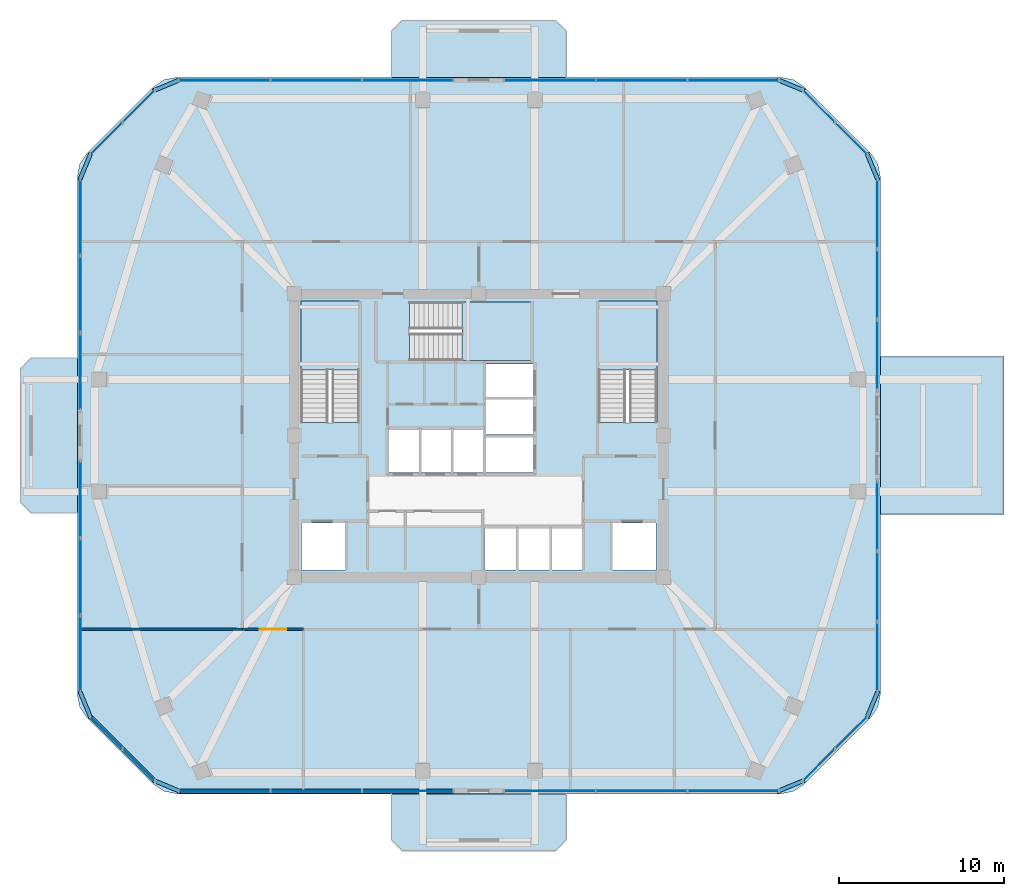
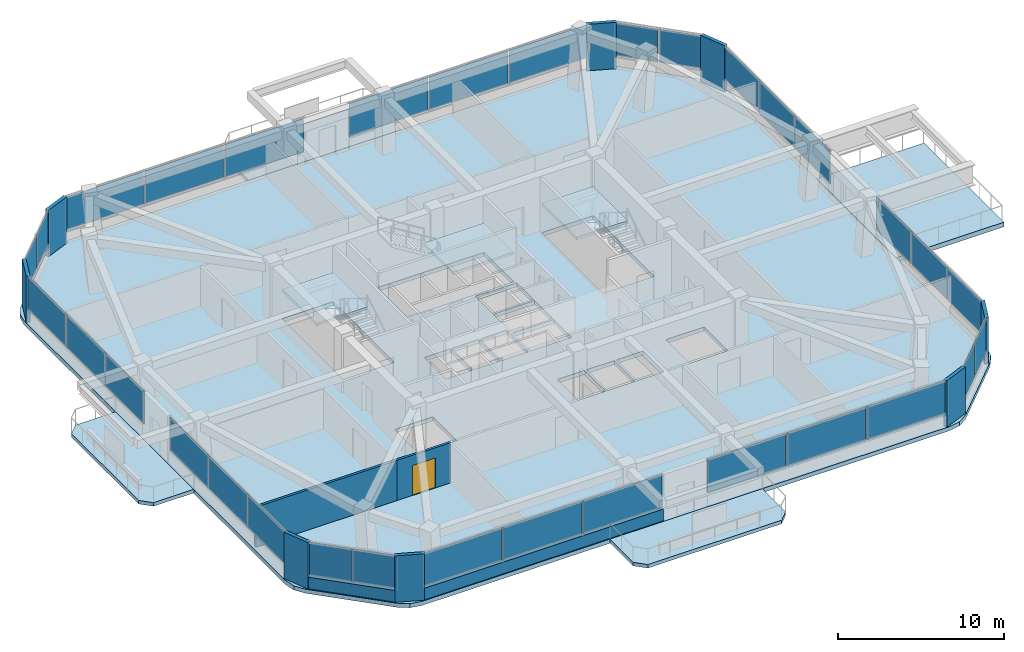
# One storey, part 6 of 13: 40 plates, 8 slabs, 4 walls, 1 door, 1 opening, 15 elements without a shape of their own.
"""IFC4 building model written with IfcOpenShell, lengths in metres."""

from ifc_helpers import new_model, si_unit, derived_unit, direction, frame, frame_2d, origin, origin_2d, place, context, subcontext, project, spatial, polyline, rectangle, outline, extrude, material, layer, layer_set, type_object, element, fill, aggregate, save


model = new_model("IFC4")

# Units and contexts
model_context = context("Model", 3, precision=1e-05, world=origin(), true_north=direction((0.0, 1.0)))
body_context = subcontext(model_context, "Body", "Model", "MODEL_VIEW")
ifc_project = project(units=[si_unit("LENGTHUNIT", "METRE"), si_unit("AREAUNIT", "SQUARE_METRE"), si_unit("VOLUMEUNIT", "CUBIC_METRE"), si_unit("PLANEANGLEUNIT", "RADIAN"), si_unit("MASSUNIT", "GRAM", prefix="KILO"), derived_unit("THERMALTRANSMITTANCEUNIT", [(si_unit("POWERUNIT", "WATT"), 1), (si_unit("LENGTHUNIT", "METRE"), -2), (si_unit("THERMODYNAMICTEMPERATUREUNIT", "KELVIN"), -1)])], contexts=[model_context])

# Site, building, storey
site_placement = place(None, origin())
site = spatial("IfcSite", under=ifc_project, at=site_placement, CompositionType="ELEMENT")
building_placement = place(site_placement, origin())
building = spatial("IfcBuilding", under=site, at=building_placement, Name="Koralith Skygarden Medical Center", CompositionType="ELEMENT")
storey_placement = place(building_placement, frame((0.0, 0.0, 188.4599609375)))
storey = spatial("IfcBuildingStorey", under=building, at=storey_placement, Name="L48", CompositionType="ELEMENT", Elevation=188.4599609375)

# Curtain wall, plates
ifc_material_1 = material(Name="Clear Laminated Glass", Category="glass")
curtain_wall_type = type_object("IfcCurtainWallType", Name="CW-7 Sky-Garden & Pool Conservatory Wall", PredefinedType="NOTDEFINED", material=ifc_material_1)
curtain_wall_1_placement = place(storey_placement, origin())
curtain_wall_1 = element("IfcCurtainWall", 1, at=curtain_wall_1_placement, inside=storey, type_object=curtain_wall_type, Name="Curtain Wall CW-L48-S-L", PredefinedType="NOTDEFINED")
ifc_layer_1 = layer(ifc_material_1, 0.0419921875)
ifc_layer_set_1 = layer_set([ifc_layer_1], Name="Clear Laminated Glass")
plate_type_1 = type_object("IfcPlateType", Name="CW-7 Hurricane Laminated IGU Panel 42", PredefinedType="CURTAIN_PANEL", material=ifc_layer_set_1)
plate_1_placement = place(storey_placement, frame((21.572998046875, 4.344970703125, 0.920166015625), z_axis=(0.0, 0.0, 1.0), x_axis=(1.0, 0.0, 0.0)))
plate_1 = element("IfcPlate", 2, at=plate_1_placement, type_object=plate_type_1, Name="CW-L48-S-L Glazed Panel 1", PredefinedType="CURTAIN_PANEL", context=body_context, shape_type="SweptSolid", body=[
    extrude(rectangle(XDim=5.465087890625, YDim=0.0419921875, at=origin_2d()), origin(), (0.0, 0.0, 1.0), 2.419921875),
])
plate_2_placement = place(storey_placement, frame((27.1279296875, 4.344970703125, 0.920166015625), z_axis=(0.0, 0.0, 1.0), x_axis=(1.0, 0.0, 0.0)))
plate_2 = element("IfcPlate", 3, at=plate_2_placement, type_object=plate_type_1, Name="CW-L48-S-L Glazed Panel 2", PredefinedType="CURTAIN_PANEL", context=body_context, shape_type="SweptSolid", body=[
    extrude(rectangle(XDim=5.465087890625, YDim=0.0419921875, at=origin_2d()), origin(), (0.0, 0.0, 1.0), 2.419921875),
])
plate_3_placement = place(storey_placement, frame((32.68310546875, 4.344970703125, 0.920166015625), z_axis=(0.0, 0.0, 1.0), x_axis=(1.0, 0.0, 0.0)))
plate_3 = element("IfcPlate", 4, at=plate_3_placement, type_object=plate_type_1, Name="CW-L48-S-L Glazed Panel 3", PredefinedType="CURTAIN_PANEL", context=body_context, shape_type="SweptSolid", body=[
    extrude(rectangle(XDim=5.465087890625, YDim=0.0419921875, at=origin_2d()), origin(), (0.0, 0.0, 1.0), 2.419921875),
])
aggregate(curtain_wall_1, [plate_1, plate_2, plate_3])

curtain_wall_2_placement = place(storey_placement, origin())
curtain_wall_2 = element("IfcCurtainWall", 5, at=curtain_wall_2_placement, inside=storey, type_object=curtain_wall_type, Name="Curtain Wall CW-L48-S-R", PredefinedType="NOTDEFINED")
plate_4_placement = place(storey_placement, frame((41.31689453125, 4.344970703125, 0.920166015625), z_axis=(0.0, 0.0, 1.0), x_axis=(1.0, 0.0, 0.0)))
plate_4 = element("IfcPlate", 6, at=plate_4_placement, type_object=plate_type_1, Name="CW-L48-S-R Glazed Panel 1", PredefinedType="CURTAIN_PANEL", context=body_context, shape_type="SweptSolid", body=[
    extrude(rectangle(XDim=5.465087890625, YDim=0.0419921875, at=origin_2d()), origin(), (0.0, 0.0, 1.0), 2.419921875),
])
plate_5_placement = place(storey_placement, frame((46.873046875, 4.344970703125, 0.920166015625), z_axis=(0.0, 0.0, 1.0), x_axis=(1.0, 0.0, 0.0)))
plate_5 = element("IfcPlate", 7, at=plate_5_placement, type_object=plate_type_1, Name="CW-L48-S-R Glazed Panel 2", PredefinedType="CURTAIN_PANEL", context=body_context, shape_type="SweptSolid", body=[
    extrude(rectangle(XDim=5.465087890625, YDim=0.0419921875, at=origin_2d()), origin(), (0.0, 0.0, 1.0), 2.419921875),
])
plate_6_placement = place(storey_placement, frame((52.427001953125, 4.344970703125, 0.920166015625), z_axis=(0.0, 0.0, 1.0), x_axis=(1.0, 0.0, 0.0)))
plate_6 = element("IfcPlate", 8, at=plate_6_placement, type_object=plate_type_1, Name="CW-L48-S-R Glazed Panel 3", PredefinedType="CURTAIN_PANEL", context=body_context, shape_type="SweptSolid", body=[
    extrude(rectangle(XDim=5.465087890625, YDim=0.0419921875, at=origin_2d()), origin(), (0.0, 0.0, 1.0), 2.419921875),
])
aggregate(curtain_wall_2, [plate_4, plate_5, plate_6])

curtain_wall_3_placement = place(storey_placement, origin())
curtain_wall_3 = element("IfcCurtainWall", 9, at=curtain_wall_3_placement, inside=storey, type_object=curtain_wall_type, Name="Curtain Wall CW-L48-SE", PredefinedType="NOTDEFINED")
plate_7_placement = place(storey_placement, frame((57.636962890625, 5.927001953125, 0.920166015625), z_axis=(0.0, 0.0, 1.0), x_axis=(0.707106781187, 0.707106781187, 0.0)))
plate_7 = element("IfcPlate", 10, at=plate_7_placement, type_object=plate_type_1, Name="CW-L48-SE Glazed Panel 1", PredefinedType="CURTAIN_PANEL", context=body_context, shape_type="SweptSolid", body=[
    extrude(rectangle(XDim=2.68408203125, YDim=0.0419921875, at=origin_2d()), origin(), (0.0, 0.0, 1.0), 2.419921875),
])
plate_8_placement = place(storey_placement, frame((59.597900390625, 7.887939453125, 0.920166015625), z_axis=(0.0, 0.0, 1.0), x_axis=(0.707106781187, 0.707106781187, 0.0)))
plate_8 = element("IfcPlate", 11, at=plate_8_placement, type_object=plate_type_1, Name="CW-L48-SE Glazed Panel 2", PredefinedType="CURTAIN_PANEL", context=body_context, shape_type="SweptSolid", body=[
    extrude(rectangle(XDim=2.68408203125, YDim=0.0419921875, at=origin_2d()), origin(), (0.0, 0.0, 1.0), 2.419921875),
])
aggregate(curtain_wall_3, [plate_7, plate_8])

curtain_wall_4_placement = place(storey_placement, origin())
curtain_wall_4 = element("IfcCurtainWall", 12, at=curtain_wall_4_placement, inside=storey, type_object=curtain_wall_type, Name="Curtain Wall CW-L48-E-L", PredefinedType="NOTDEFINED")
plate_9_placement = place(storey_placement, frame((61.179931640625, 12.4599609375, 0.920166015625), z_axis=(0.0, 0.0, 1.0), x_axis=(0.0, 1.0, 0.0)))
plate_9 = element("IfcPlate", 13, at=plate_9_placement, type_object=plate_type_1, Name="CW-L48-E-L Glazed Panel 1", PredefinedType="CURTAIN_PANEL", context=body_context, shape_type="SweptSolid", body=[
    extrude(rectangle(XDim=4.18994140625, YDim=0.0419921875, at=origin_2d()), origin(), (0.0, 0.0, 1.0), 2.419921875),
])
plate_10_placement = place(storey_placement, frame((61.179931640625, 16.739990234375, 0.920166015625), z_axis=(0.0, 0.0, 1.0), x_axis=(0.0, 1.0, 0.0)))
plate_10 = element("IfcPlate", 14, at=plate_10_placement, type_object=plate_type_1, Name="CW-L48-E-L Glazed Panel 2", PredefinedType="CURTAIN_PANEL", context=body_context, shape_type="SweptSolid", body=[
    extrude(rectangle(XDim=4.18994140625, YDim=0.0419921875, at=origin_2d()), origin(), (0.0, 0.0, 1.0), 2.419921875),
])
plate_11_placement = place(storey_placement, frame((61.179931640625, 21.02001953125, 0.920166015625), z_axis=(0.0, 0.0, 1.0), x_axis=(0.0, 1.0, 0.0)))
plate_11 = element("IfcPlate", 15, at=plate_11_placement, type_object=plate_type_1, Name="CW-L48-E-L Glazed Panel 3", PredefinedType="CURTAIN_PANEL", context=body_context, shape_type="SweptSolid", body=[
    extrude(rectangle(XDim=4.18994140625, YDim=0.0419921875, at=origin_2d()), origin(), (0.0, 0.0, 1.0), 2.419921875),
])
aggregate(curtain_wall_4, [plate_9, plate_10, plate_11])

curtain_wall_5_placement = place(storey_placement, origin())
curtain_wall_5 = element("IfcCurtainWall", 16, at=curtain_wall_5_placement, inside=storey, type_object=curtain_wall_type, Name="Curtain Wall CW-L48-E-R", PredefinedType="NOTDEFINED")
plate_12_placement = place(storey_placement, frame((61.179931640625, 30.780029296875, 0.920166015625), z_axis=(0.0, 0.0, 1.0), x_axis=(0.0, 1.0, 0.0)))
plate_12 = element("IfcPlate", 17, at=plate_12_placement, type_object=plate_type_1, Name="CW-L48-E-R Glazed Panel 1", PredefinedType="CURTAIN_PANEL", context=body_context, shape_type="SweptSolid", body=[
    extrude(rectangle(XDim=4.18994140625, YDim=0.0419921875, at=origin_2d()), origin(), (0.0, 0.0, 1.0), 2.419921875),
])
plate_13_placement = place(storey_placement, frame((61.179931640625, 35.06005859375, 0.920166015625), z_axis=(0.0, 0.0, 1.0), x_axis=(0.0, 1.0, 0.0)))
plate_13 = element("IfcPlate", 18, at=plate_13_placement, type_object=plate_type_1, Name="CW-L48-E-R Glazed Panel 2", PredefinedType="CURTAIN_PANEL", context=body_context, shape_type="SweptSolid", body=[
    extrude(rectangle(XDim=4.18994140625, YDim=0.0419921875, at=origin_2d()), origin(), (0.0, 0.0, 1.0), 2.419921875),
])
plate_14_placement = place(storey_placement, frame((61.179931640625, 39.340087890625, 0.920166015625), z_axis=(0.0, 0.0, 1.0), x_axis=(0.0, 1.0, 0.0)))
plate_14 = element("IfcPlate", 19, at=plate_14_placement, type_object=plate_type_1, Name="CW-L48-E-R Glazed Panel 3", PredefinedType="CURTAIN_PANEL", context=body_context, shape_type="SweptSolid", body=[
    extrude(rectangle(XDim=4.18994140625, YDim=0.0419921875, at=origin_2d()), origin(), (0.0, 0.0, 1.0), 2.419921875),
])
aggregate(curtain_wall_5, [plate_12, plate_13, plate_14])

curtain_wall_6_placement = place(storey_placement, origin())
curtain_wall_6 = element("IfcCurtainWall", 20, at=curtain_wall_6_placement, inside=storey, type_object=curtain_wall_type, Name="Curtain Wall CW-L48-NE", PredefinedType="NOTDEFINED")
plate_15_placement = place(storey_placement, frame((59.597900390625, 43.912109375, 0.920166015625), z_axis=(0.0, 0.0, 1.0), x_axis=(-0.707106781187, 0.707106781187, 0.0)))
plate_15 = element("IfcPlate", 21, at=plate_15_placement, type_object=plate_type_1, Name="CW-L48-NE Glazed Panel 1", PredefinedType="CURTAIN_PANEL", context=body_context, shape_type="SweptSolid", body=[
    extrude(rectangle(XDim=2.68408203125, YDim=0.0419921875, at=origin_2d()), origin(), (0.0, 0.0, 1.0), 2.419921875),
])
plate_16_placement = place(storey_placement, frame((57.636962890625, 45.873046875, 0.920166015625), z_axis=(0.0, 0.0, 1.0), x_axis=(-0.707106781187, 0.707106781187, 0.0)))
plate_16 = element("IfcPlate", 22, at=plate_16_placement, type_object=plate_type_1, Name="CW-L48-NE Glazed Panel 2", PredefinedType="CURTAIN_PANEL", context=body_context, shape_type="SweptSolid", body=[
    extrude(rectangle(XDim=2.68408203125, YDim=0.0419921875, at=origin_2d()), origin(), (0.0, 0.0, 1.0), 2.419921875),
])
aggregate(curtain_wall_6, [plate_15, plate_16])

curtain_wall_7_placement = place(storey_placement, origin())
curtain_wall_7 = element("IfcCurtainWall", 23, at=curtain_wall_7_placement, inside=storey, type_object=curtain_wall_type, Name="Curtain Wall CW-L48-N-L", PredefinedType="NOTDEFINED")
plate_17_placement = place(storey_placement, frame((52.427001953125, 47.4560546875, 0.920166015625), z_axis=(0.0, 0.0, 1.0), x_axis=(-1.0, 0.0, 0.0)))
plate_17 = element("IfcPlate", 24, at=plate_17_placement, type_object=plate_type_1, Name="CW-L48-N-L Glazed Panel 1", PredefinedType="CURTAIN_PANEL", context=body_context, shape_type="SweptSolid", body=[
    extrude(rectangle(XDim=5.465087890625, YDim=0.0419921875, at=origin_2d()), origin(), (0.0, 0.0, 1.0), 2.419921875),
])
plate_18_placement = place(storey_placement, frame((46.873046875, 47.4560546875, 0.920166015625), z_axis=(0.0, 0.0, 1.0), x_axis=(-1.0, 0.0, 0.0)))
plate_18 = element("IfcPlate", 25, at=plate_18_placement, type_object=plate_type_1, Name="CW-L48-N-L Glazed Panel 2", PredefinedType="CURTAIN_PANEL", context=body_context, shape_type="SweptSolid", body=[
    extrude(rectangle(XDim=5.465087890625, YDim=0.0419921875, at=origin_2d()), origin(), (0.0, 0.0, 1.0), 2.419921875),
])
plate_19_placement = place(storey_placement, frame((41.31689453125, 47.4560546875, 0.920166015625), z_axis=(0.0, 0.0, 1.0), x_axis=(-1.0, 0.0, 0.0)))
plate_19 = element("IfcPlate", 26, at=plate_19_placement, type_object=plate_type_1, Name="CW-L48-N-L Glazed Panel 3", PredefinedType="CURTAIN_PANEL", context=body_context, shape_type="SweptSolid", body=[
    extrude(rectangle(XDim=5.465087890625, YDim=0.0419921875, at=origin_2d()), origin(), (0.0, 0.0, 1.0), 2.419921875),
])
aggregate(curtain_wall_7, [plate_17, plate_18, plate_19])

curtain_wall_8_placement = place(storey_placement, origin())
curtain_wall_8 = element("IfcCurtainWall", 27, at=curtain_wall_8_placement, inside=storey, type_object=curtain_wall_type, Name="Curtain Wall CW-L48-N-R", PredefinedType="NOTDEFINED")
plate_20_placement = place(storey_placement, frame((32.68310546875, 47.4560546875, 0.920166015625), z_axis=(0.0, 0.0, 1.0), x_axis=(-1.0, 0.0, 0.0)))
plate_20 = element("IfcPlate", 28, at=plate_20_placement, type_object=plate_type_1, Name="CW-L48-N-R Glazed Panel 1", PredefinedType="CURTAIN_PANEL", context=body_context, shape_type="SweptSolid", body=[
    extrude(rectangle(XDim=5.465087890625, YDim=0.0419921875, at=origin_2d()), origin(), (0.0, 0.0, 1.0), 2.419921875),
])
plate_21_placement = place(storey_placement, frame((27.1279296875, 47.4560546875, 0.920166015625), z_axis=(0.0, 0.0, 1.0), x_axis=(-1.0, 0.0, 0.0)))
plate_21 = element("IfcPlate", 29, at=plate_21_placement, type_object=plate_type_1, Name="CW-L48-N-R Glazed Panel 2", PredefinedType="CURTAIN_PANEL", context=body_context, shape_type="SweptSolid", body=[
    extrude(rectangle(XDim=5.465087890625, YDim=0.0419921875, at=origin_2d()), origin(), (0.0, 0.0, 1.0), 2.419921875),
])
plate_22_placement = place(storey_placement, frame((21.572998046875, 47.4560546875, 0.920166015625), z_axis=(0.0, 0.0, 1.0), x_axis=(-1.0, 0.0, 0.0)))
plate_22 = element("IfcPlate", 30, at=plate_22_placement, type_object=plate_type_1, Name="CW-L48-N-R Glazed Panel 3", PredefinedType="CURTAIN_PANEL", context=body_context, shape_type="SweptSolid", body=[
    extrude(rectangle(XDim=5.465087890625, YDim=0.0419921875, at=origin_2d()), origin(), (0.0, 0.0, 1.0), 2.419921875),
])
aggregate(curtain_wall_8, [plate_20, plate_21, plate_22])

curtain_wall_9_placement = place(storey_placement, origin())
curtain_wall_9 = element("IfcCurtainWall", 31, at=curtain_wall_9_placement, inside=storey, type_object=curtain_wall_type, Name="Curtain Wall CW-L48-NW", PredefinedType="NOTDEFINED")
plate_23_placement = place(storey_placement, frame((16.363037109375, 45.873046875, 0.920166015625), z_axis=(0.0, 0.0, 1.0), x_axis=(-0.707106781187, -0.707106781187, 0.0)))
plate_23 = element("IfcPlate", 32, at=plate_23_placement, type_object=plate_type_1, Name="CW-L48-NW Glazed Panel 1", PredefinedType="CURTAIN_PANEL", context=body_context, shape_type="SweptSolid", body=[
    extrude(rectangle(XDim=2.68408203125, YDim=0.0419921875, at=origin_2d()), origin(), (0.0, 0.0, 1.0), 2.419921875),
])
plate_24_placement = place(storey_placement, frame((14.402099609375, 43.912109375, 0.920166015625), z_axis=(0.0, 0.0, 1.0), x_axis=(-0.707106781187, -0.707106781187, 0.0)))
plate_24 = element("IfcPlate", 33, at=plate_24_placement, type_object=plate_type_1, Name="CW-L48-NW Glazed Panel 2", PredefinedType="CURTAIN_PANEL", context=body_context, shape_type="SweptSolid", body=[
    extrude(rectangle(XDim=2.68408203125, YDim=0.0419921875, at=origin_2d()), origin(), (0.0, 0.0, 1.0), 2.419921875),
])
aggregate(curtain_wall_9, [plate_23, plate_24])

curtain_wall_10_placement = place(storey_placement, origin())
curtain_wall_10 = element("IfcCurtainWall", 34, at=curtain_wall_10_placement, inside=storey, type_object=curtain_wall_type, Name="Curtain Wall CW-L48-W-L", PredefinedType="NOTDEFINED")
plate_25_placement = place(storey_placement, frame((12.820068359375, 39.139892578125, 0.920166015625), z_axis=(0.0, 0.0, 1.0), x_axis=(0.0, -1.0, 0.0)))
plate_25 = element("IfcPlate", 35, at=plate_25_placement, type_object=plate_type_1, Name="CW-L48-W-L Glazed Panel 1", PredefinedType="CURTAIN_PANEL", context=body_context, shape_type="SweptSolid", body=[
    extrude(rectangle(XDim=4.590087890625, YDim=0.0419921875, at=origin_2d()), origin(), (0.0, 0.0, 1.0), 2.419921875),
])
plate_26_placement = place(storey_placement, frame((12.820068359375, 34.4599609375, 0.920166015625), z_axis=(0.0, 0.0, 1.0), x_axis=(0.0, -1.0, 0.0)))
plate_26 = element("IfcPlate", 36, at=plate_26_placement, type_object=plate_type_1, Name="CW-L48-W-L Glazed Panel 2", PredefinedType="CURTAIN_PANEL", context=body_context, shape_type="SweptSolid", body=[
    extrude(rectangle(XDim=4.590087890625, YDim=0.0419921875, at=origin_2d()), origin(), (0.0, 0.0, 1.0), 2.419921875),
])
plate_27_placement = place(storey_placement, frame((12.820068359375, 29.780029296875, 0.920166015625), z_axis=(0.0, 0.0, 1.0), x_axis=(0.0, -1.0, 0.0)))
plate_27 = element("IfcPlate", 37, at=plate_27_placement, type_object=plate_type_1, Name="CW-L48-W-L Glazed Panel 3", PredefinedType="CURTAIN_PANEL", context=body_context, shape_type="SweptSolid", body=[
    extrude(rectangle(XDim=4.590087890625, YDim=0.0419921875, at=origin_2d()), origin(), (0.0, 0.0, 1.0), 2.419921875),
])
aggregate(curtain_wall_10, [plate_25, plate_26, plate_27])

curtain_wall_11_placement = place(storey_placement, origin())
curtain_wall_11 = element("IfcCurtainWall", 38, at=curtain_wall_11_placement, inside=storey, type_object=curtain_wall_type, Name="Curtain Wall CW-L48-W-R", PredefinedType="NOTDEFINED")
plate_28_placement = place(storey_placement, frame((12.820068359375, 22.02001953125, 0.920166015625), z_axis=(0.0, 0.0, 1.0), x_axis=(0.0, -1.0, 0.0)))
plate_28 = element("IfcPlate", 39, at=plate_28_placement, type_object=plate_type_1, Name="CW-L48-W-R Glazed Panel 1", PredefinedType="CURTAIN_PANEL", context=body_context, shape_type="SweptSolid", body=[
    extrude(rectangle(XDim=4.590087890625, YDim=0.0419921875, at=origin_2d()), origin(), (0.0, 0.0, 1.0), 2.419921875),
])
plate_29_placement = place(storey_placement, frame((12.820068359375, 17.340087890625, 0.920166015625), z_axis=(0.0, 0.0, 1.0), x_axis=(0.0, -1.0, 0.0)))
plate_29 = element("IfcPlate", 40, at=plate_29_placement, type_object=plate_type_1, Name="CW-L48-W-R Glazed Panel 2", PredefinedType="CURTAIN_PANEL", context=body_context, shape_type="SweptSolid", body=[
    extrude(rectangle(XDim=4.590087890625, YDim=0.0419921875, at=origin_2d()), origin(), (0.0, 0.0, 1.0), 2.419921875),
])
plate_30_placement = place(storey_placement, frame((12.820068359375, 12.659912109375, 0.920166015625), z_axis=(0.0, 0.0, 1.0), x_axis=(0.0, -1.0, 0.0)))
plate_30 = element("IfcPlate", 41, at=plate_30_placement, type_object=plate_type_1, Name="CW-L48-W-R Glazed Panel 3", PredefinedType="CURTAIN_PANEL", context=body_context, shape_type="SweptSolid", body=[
    extrude(rectangle(XDim=4.590087890625, YDim=0.0419921875, at=origin_2d()), origin(), (0.0, 0.0, 1.0), 2.419921875),
])
aggregate(curtain_wall_11, [plate_28, plate_29, plate_30])

curtain_wall_12_placement = place(storey_placement, origin())
curtain_wall_12 = element("IfcCurtainWall", 42, at=curtain_wall_12_placement, inside=storey, type_object=curtain_wall_type, Name="Curtain Wall CW-L48-SW", PredefinedType="NOTDEFINED")
plate_31_placement = place(storey_placement, frame((14.402099609375, 7.887939453125, 0.920166015625), z_axis=(0.0, 0.0, 1.0), x_axis=(0.707106781187, -0.707106781187, 0.0)))
plate_31 = element("IfcPlate", 43, at=plate_31_placement, type_object=plate_type_1, Name="CW-L48-SW Glazed Panel 1", PredefinedType="CURTAIN_PANEL", context=body_context, shape_type="SweptSolid", body=[
    extrude(rectangle(XDim=2.68408203125, YDim=0.0419921875, at=origin_2d()), origin(), (0.0, 0.0, 1.0), 2.419921875),
])
plate_32_placement = place(storey_placement, frame((16.363037109375, 5.927001953125, 0.920166015625), z_axis=(0.0, 0.0, 1.0), x_axis=(0.707106781187, -0.707106781187, 0.0)))
plate_32 = element("IfcPlate", 44, at=plate_32_placement, type_object=plate_type_1, Name="CW-L48-SW Glazed Panel 2", PredefinedType="CURTAIN_PANEL", context=body_context, shape_type="SweptSolid", body=[
    extrude(rectangle(XDim=2.68408203125, YDim=0.0419921875, at=origin_2d()), origin(), (0.0, 0.0, 1.0), 2.419921875),
])
aggregate(curtain_wall_12, [plate_31, plate_32])

# Slabs
ifc_material_2 = material(Name="Concrete C45/55", Category="concrete")
ifc_layer_2 = layer(ifc_material_2, 0.340087890625)
ifc_layer_set_2 = layer_set([ifc_layer_2], Name="Concrete C45/55")
slab_type_1 = type_object("IfcSlabType", Name="Cantilevered Hydrotherapy Sky-Pool Slab 340", PredefinedType="FLOOR", material=ifc_layer_set_2)
slab_1_placement = place(storey_placement, frame((0.0, 0.0, -0.33984375)))
element("IfcSlab", 45, at=slab_1_placement, inside=storey, type_object=slab_type_1, Name="L48 Cantilevered Hydrotherapy Sky Pool Deck", PredefinedType="FLOOR", context=body_context, shape_type="SweptSolid", body=[
    extrude(outline(polyline([(61.381103515625, 21.10009765625), (68.861083984375, 21.10009765625), (68.861083984375, 30.699951171875), (61.381103515625, 30.699951171875), (61.381103515625, 21.10009765625)])), origin(), (0.0, 0.0, 1.0), 0.33984375),
])
ifc_layer_3 = layer(ifc_material_2, 0.260009765625)
ifc_layer_set_3 = layer_set([ifc_layer_3], Name="Concrete C45/55")
slab_type_2 = type_object("IfcSlabType", Name="Cantilevered Planted Balcony Slab 260", PredefinedType="FLOOR", material=ifc_layer_set_3)
slab_2_placement = place(storey_placement, frame((0.0, 0.0, -0.260009765625)))
element("IfcSlab", 46, at=slab_2_placement, inside=storey, type_object=slab_type_2, Name="L48 N Planted Sky-Garden Balcony Slab", PredefinedType="FLOOR", context=body_context, shape_type="SweptSolid", body=[
    extrude(outline(polyline([(31.699951171875, 47.635009765625), (42.300048828125, 47.635009765625), (42.300048828125, 50.43505859375), (41.64990234375, 51.0849609375), (32.35009765625, 51.0849609375), (31.699951171875, 50.43505859375), (31.699951171875, 47.635009765625)])), origin(), (0.0, 0.0, 1.0), 0.260009765625),
])
slab_3_placement = place(storey_placement, frame((0.0, 0.0, -0.260009765625)))
element("IfcSlab", 47, at=slab_3_placement, inside=storey, type_object=slab_type_2, Name="L48 S Planted Sky-Garden Balcony Slab", PredefinedType="FLOOR", context=body_context, shape_type="SweptSolid", body=[
    extrude(outline(polyline([(32.35009765625, 0.715087890625), (41.64990234375, 0.715087890625), (42.300048828125, 1.364990234375), (42.300048828125, 4.1650390625), (31.699951171875, 4.1650390625), (31.699951171875, 1.364990234375), (32.35009765625, 0.715087890625)])), origin(), (0.0, 0.0, 1.0), 0.260009765625),
])
slab_4_placement = place(storey_placement, frame((0.0, 0.0, -0.260009765625)))
element("IfcSlab", 48, at=slab_4_placement, inside=storey, type_object=slab_type_2, Name="L48 W Planted Sky-Garden Balcony Slab", PredefinedType="FLOOR", context=body_context, shape_type="SweptSolid", body=[
    extrude(outline(polyline([(9.840087890625, 21.199951171875), (12.639892578125, 21.199951171875), (12.639892578125, 30.60009765625), (9.840087890625, 30.60009765625), (9.18994140625, 29.949951171875), (9.18994140625, 21.85009765625), (9.840087890625, 21.199951171875)])), origin(), (0.0, 0.0, 1.0), 0.260009765625),
])

# Stair, slab
stair_type = type_object("IfcStairType", Name="Core Exit Dogleg Concrete Stair", PredefinedType="HALF_TURN_STAIR", material=ifc_material_2)
stair_1_placement = place(storey_placement, origin())
stair_1 = element("IfcStair", 49, at=stair_1_placement, inside=storey, type_object=stair_type, Name="L48 Smokeproof Exit Stair ST1", PredefinedType="HALF_TURN_STAIR")
ifc_layer_4 = layer(ifc_material_2, 0.199951171875)
ifc_layer_set_4 = layer_set([ifc_layer_4], Name="Concrete C45/55")
slab_type_3 = type_object("IfcSlabType", Name="Core Exit Concrete Stair Landing 200", PredefinedType="LANDING", material=ifc_layer_set_4)
slab_5_placement = place(storey_placement, frame((0.0, 0.0, 1.9599609375)))
slab_5 = element("IfcSlab", 50, at=slab_5_placement, type_object=slab_type_3, Name="ST1 landing 1", PredefinedType="LANDING", context=body_context, shape_type="SweptSolid", body=[
    extrude(outline(polyline([(29.75, 29.889892578125), (29.75, 34.050048828125), (26.199951171875, 34.050048828125), (26.199951171875, 29.889892578125), (29.75, 29.889892578125)])), origin(), (0.0, 0.0, 1.0), 0.2001953125),
])
aggregate(stair_1, [slab_5])

stair_2_placement = place(storey_placement, origin())
stair_2 = element("IfcStair", 51, at=stair_2_placement, inside=storey, type_object=stair_type, Name="L48 Smokeproof Exit Stair ST2", PredefinedType="HALF_TURN_STAIR")
slab_6_placement = place(storey_placement, frame((0.0, 0.0, 1.9599609375)))
slab_6 = element("IfcSlab", 52, at=slab_6_placement, type_object=slab_type_3, Name="ST2 landing 1", PredefinedType="LANDING", context=body_context, shape_type="SweptSolid", body=[
    extrude(outline(polyline([(47.800048828125, 29.889892578125), (47.800048828125, 34.050048828125), (44.25, 34.050048828125), (44.25, 29.889892578125), (47.800048828125, 29.889892578125)])), origin(), (0.0, 0.0, 1.0), 0.2001953125),
])
aggregate(stair_2, [slab_6])

stair_3_placement = place(storey_placement, origin())
stair_3 = element("IfcStair", 53, at=stair_3_placement, inside=storey, type_object=stair_type, Name="L48 Smokeproof Exit Stair ST3", PredefinedType="HALF_TURN_STAIR")
slab_7_placement = place(storey_placement, frame((0.0, 0.0, 1.9599609375)))
slab_7 = element("IfcSlab", 54, at=slab_7_placement, type_object=slab_type_3, Name="ST3 landing 1", PredefinedType="LANDING", context=body_context, shape_type="SweptSolid", body=[
    extrude(outline(polyline([(35.989990234375, 30.449951171875), (40.199951171875, 30.449951171875), (40.199951171875, 34.0), (35.989990234375, 34.0), (35.989990234375, 30.449951171875)])), origin(), (0.0, 0.0, 1.0), 0.2001953125),
])
aggregate(stair_3, [slab_7])

# Slab
ifc_layer_5 = layer(ifc_material_2, 0.300048828125)
ifc_layer_set_5 = layer_set([ifc_layer_5], Name="Concrete C45/55")
slab_type_4 = type_object("IfcSlabType", Name="Podium & Diagnostic Stiffened Slab 300", PredefinedType="FLOOR", material=ifc_layer_set_5)
slab_8_placement = place(storey_placement, frame((0.0, 0.0, -0.300048828125)))
element("IfcSlab", 55, at=slab_8_placement, inside=storey, type_object=slab_type_4, Name="Level L48 Structural Floor Slab", PredefinedType="FLOOR", context=body_context, shape_type="SweptSolid", body=[
    extrude(outline(polyline([(17.25390625, 4.75), (17.903076171875, 4.31689453125), (18.66796875, 4.1650390625), (55.33203125, 4.1650390625), (56.096923828125, 4.31689453125), (56.74609375, 4.75), (60.77490234375, 8.779052734375), (61.2080078125, 9.427978515625), (61.361083984375, 10.193115234375), (61.361083984375, 41.60693359375), (61.2080078125, 42.3720703125), (60.77490234375, 43.02099609375), (56.74609375, 47.050048828125), (56.096923828125, 47.48291015625), (55.33203125, 47.635009765625), (18.66796875, 47.635009765625), (17.903076171875, 47.48291015625), (17.25390625, 47.050048828125), (13.22509765625, 43.02099609375), (12.7919921875, 42.3720703125), (12.639892578125, 41.60693359375), (12.639892578125, 10.193115234375), (12.7919921875, 9.427978515625), (13.22509765625, 8.779052734375), (17.25390625, 4.75)]), holes=[polyline([(26.199951171875, 26.705078125), (29.75, 26.705078125), (29.75, 34.050048828125), (26.199951171875, 34.050048828125), (26.199951171875, 26.705078125)]), polyline([(44.25, 26.705078125), (47.800048828125, 26.705078125), (47.800048828125, 34.050048828125), (44.25, 34.050048828125), (44.25, 26.705078125)]), polyline([(32.804931640625, 30.449951171875), (40.199951171875, 30.449951171875), (40.199951171875, 34.0), (32.804931640625, 34.0), (32.804931640625, 30.449951171875)]), polyline([(26.25, 17.75), (28.89990234375, 17.75), (28.89990234375, 20.60009765625), (26.25, 20.60009765625), (26.25, 17.75)]), polyline([(45.10009765625, 17.75), (47.75, 17.75), (47.75, 20.60009765625), (45.10009765625, 20.60009765625), (45.10009765625, 17.75)]), polyline([(37.35009765625, 17.75), (39.25, 17.75), (39.25, 20.25), (37.35009765625, 20.25), (37.35009765625, 17.75)]), polyline([(39.39990234375, 17.75), (41.300048828125, 17.75), (41.300048828125, 20.25), (39.39990234375, 20.25), (39.39990234375, 17.75)]), polyline([(41.449951171875, 17.75), (43.300048828125, 17.75), (43.300048828125, 20.25), (41.449951171875, 20.25), (41.449951171875, 17.75)]), polyline([(31.550048828125, 23.64990234375), (33.39990234375, 23.64990234375), (33.39990234375, 26.25), (31.550048828125, 26.25), (31.550048828125, 23.64990234375)]), polyline([(33.5, 23.64990234375), (35.35009765625, 23.64990234375), (35.35009765625, 26.25), (33.5, 26.25), (33.5, 23.64990234375)]), polyline([(35.449951171875, 23.64990234375), (37.300048828125, 23.64990234375), (37.300048828125, 26.25), (35.449951171875, 26.25), (35.449951171875, 23.64990234375)]), polyline([(37.449951171875, 23.64990234375), (40.300048828125, 23.64990234375), (40.300048828125, 25.800048828125), (37.449951171875, 25.800048828125), (37.449951171875, 23.64990234375)]), polyline([(37.449951171875, 25.949951171875), (40.300048828125, 25.949951171875), (40.300048828125, 28.10009765625), (37.449951171875, 28.10009765625), (37.449951171875, 25.949951171875)]), polyline([(37.449951171875, 28.25), (40.300048828125, 28.25), (40.300048828125, 30.25), (37.449951171875, 30.25), (37.449951171875, 28.25)])]), origin(), (0.0, 0.0, 1.0), 0.300048828125),
])

# Plates
ifc_material_3 = material(Name="Warm Oolitic Limestone Cladding", Category="masonry")
ifc_layer_6 = layer(ifc_material_3, 0.239990234375)
ifc_layer_set_6 = layer_set([ifc_layer_6], Name="Warm Oolitic Limestone Cladding")
plate_type_2 = type_object("IfcPlateType", Name="Rounded-Corner Oolitic Limestone Cladding Panel 240", PredefinedType="USERDEFINED", material=ifc_layer_set_6)
for number, where, z_axis, x_axis, name in (
    (56, (55.929931640625, 4.64599609375, 0.0), (0.0, 0.0, 1.0), (0.92388487569, 0.382670532536, 0.0), "L48 Rounded-Corner Limestone Pier 1"),
    (57, (60.8798828125, 9.594970703125, 0.0), (0.0, 0.0, 1.0), (0.382670532536, 0.92388487569, 0.0), "L48 Rounded-Corner Limestone Pier 2"),
    (58, (60.8798828125, 42.2060546875, 0.0), (0.0, 0.0, 1.0), (-0.382670532536, 0.92388487569, 0.0), "L48 Rounded-Corner Limestone Pier 3"),
    (59, (55.929931640625, 47.155029296875, 0.0), (0.0, 0.0, 1.0), (-0.923659638286, 0.383213873184, 0.0), "L48 Rounded-Corner Limestone Pier 4"),
    (60, (18.070068359375, 47.155029296875, 0.0), (0.0, 0.0, 1.0), (-0.923659638286, -0.383213873184, 0.0), "L48 Rounded-Corner Limestone Pier 5"),
    (61, (13.1201171875, 42.2060546875, 0.0), (0.0, 0.0, 1.0), (-0.382670532536, -0.92388487569, 0.0), "L48 Rounded-Corner Limestone Pier 6"),
    (62, (13.1201171875, 9.594970703125, 0.0), (0.0, 0.0, 1.0), (0.382670532536, -0.92388487569, 0.0), "L48 Rounded-Corner Limestone Pier 7"),
    (63, (18.070068359375, 4.64599609375, 0.0), (0.0, 0.0, 1.0), (0.92388487569, -0.382670532536, 0.0), "L48 Rounded-Corner Limestone Pier 8"),
):
    element("IfcPlate", number, at=place(storey_placement, frame(where, z_axis=z_axis, x_axis=x_axis)), inside=storey, type_object=plate_type_2, Name=name, ObjectType="LIMESTONE CLADDING", PredefinedType="USERDEFINED", context=body_context, shape_type="SweptSolid", body=[
        extrude(rectangle(XDim=1.81103515625, YDim=0.239990234375, at=origin_2d()), origin(), (0.0, 0.0, 1.0), 3.409912109375),
    ])

# Wall
ifc_material_4 = material(Name="Gypsum Board Partition")
ifc_layer_7 = layer(ifc_material_4, 0.1650390625)
ifc_layer_set_7 = layer_set([ifc_layer_7], Name="Gypsum Board Partition")
wall_type_1 = type_object("IfcWallType", Name="Clinical Corridor Partition 165", PredefinedType="PARTITIONING", material=ifc_layer_set_7)
wall_1_placement = place(storey_placement, frame((12.840087890625, 14.14990234375, 0.0), z_axis=(0.0, 0.0, 1.0), x_axis=(1.0, 0.0, 0.0)))
element("IfcWall", 64, at=wall_1_placement, inside=storey, type_object=wall_type_1, Name="L48 Clinical Corridor Partition 165 W-WB-L48-SW", PredefinedType="PARTITIONING", context=body_context, shape_type="SweptSolid", body=[
    extrude(rectangle(XDim=9.809814453125, YDim=0.1650390625, at=frame_2d((4.90478515625, 0.0))), origin(), (0.0, 0.0, 1.0), 2.949951171875),
])

# Wall, opening, door
wall_2_placement = place(storey_placement, frame((22.64990234375, 14.14990234375, 0.0), z_axis=(0.0, 0.0, 1.0), x_axis=(1.0, 0.0, 0.0)))
wall_2 = element("IfcWall", 65, at=wall_2_placement, inside=storey, type_object=wall_type_1, Name="L48 Clinical Corridor Partition 165 W-AMCOR-L48-S-1", PredefinedType="PARTITIONING", context=body_context, shape_type="SweptSolid", body=[
    extrude(rectangle(XDim=3.7060546875, YDim=0.1650390625, at=frame_2d((1.85302734375, 0.0))), origin(), (0.0, 0.0, 1.0), 2.949951171875),
])
opening_placement = place(wall_2_placement, frame((1.052978515625, 0.0, 0.0)))
opening = element("IfcOpeningElement", 66, at=opening_placement, cuts=wall_2, Name="Opening D-DBL", PredefinedType="OPENING", context=body_context, shape_type="SweptSolid", body=[
    extrude(rectangle(XDim=1.60009765625, YDim=2.199951171875, at=frame_2d((0.800048828125, 1.10009765625))), frame((0.0, 0.092529296875, 0.0), z_axis=(0.0, -1.0, 0.0), x_axis=(1.0, 0.0, 0.0)), (0.0, 0.0, 1.0), 0.18505859375),
])
ifc_material_5 = material(Name="Aluminium 6063-T6", Category="aluminium")
door_type = type_object("IfcDoorType", Name="Double Clinical Suite Door D-DBL 1600", OperationType="NOTDEFINED", PredefinedType="DOOR", material=ifc_material_5)
door_placement = place(opening_placement, frame((1.60009765625, 0.0, 0.0), z_axis=(0.0, 0.0, 1.0), x_axis=(-1.0, 0.0, 0.0)))
door = element("IfcDoor", 67, at=door_placement, inside=storey, type_object=door_type, Name="L48 Orthopaedic Recovery Consultation Room Door", OperationType="DOUBLE_DOOR_SINGLE_SWING", OverallHeight=2.199951171875, OverallWidth=1.60009765625, PredefinedType="DOOR", context=body_context, shape_type="SweptSolid", body=[
    extrude(rectangle(XDim=1.60009765625, YDim=2.199951171875, at=frame_2d((0.800048828125, 1.10009765625))), frame((0.0, 0.02490234375, 0.0), z_axis=(0.0, -1.0, 0.0), x_axis=(1.0, 0.0, 0.0)), (0.0, 0.0, 1.0), 0.050048828125),
])
fill(opening, door)

# Walls
ifc_layer_8 = layer(ifc_material_3, 0.239990234375)
ifc_layer_set_8 = layer_set([ifc_layer_8], Name="Warm Oolitic Limestone Cladding")
wall_type_2 = type_object("IfcWallType", Name="Limestone Spandrel Sill Backup Wall 240", PredefinedType="SOLIDWALL", material=ifc_layer_set_8)
wall_3_placement = place(storey_placement, frame((18.794921875, 4.344970703125, 0.0), z_axis=(0.0, 0.0, 1.0), x_axis=(1.0, 0.0, 0.0)))
element("IfcWall", 68, at=wall_3_placement, inside=storey, type_object=wall_type_2, Name="L48 Sill Spandrel S-L", PredefinedType="SOLIDWALL", context=body_context, shape_type="SweptSolid", body=[
    extrude(rectangle(XDim=16.6650390625, YDim=0.239990234375, at=frame_2d((8.33251953125, 0.0))), origin(), (0.0, 0.0, 1.0), 0.85009765625),
])
wall_4_placement = place(storey_placement, frame((13.4208984375, 8.868896484375, 0.0), z_axis=(0.0, 0.0, 1.0), x_axis=(0.707128783731, -0.707084777957, 0.0)))
element("IfcWall", 69, at=wall_4_placement, inside=storey, type_object=wall_type_2, Name="L48 Sill Spandrel SW", PredefinedType="SOLIDWALL", context=body_context, shape_type="SweptSolid", body=[
    extrude(rectangle(XDim=5.5478515625, YDim=0.239990234375, at=frame_2d((2.77392578125, 0.0))), origin(), (0.0, 0.0, 1.0), 0.85009765625),
])

save(model, "model.ifc")
